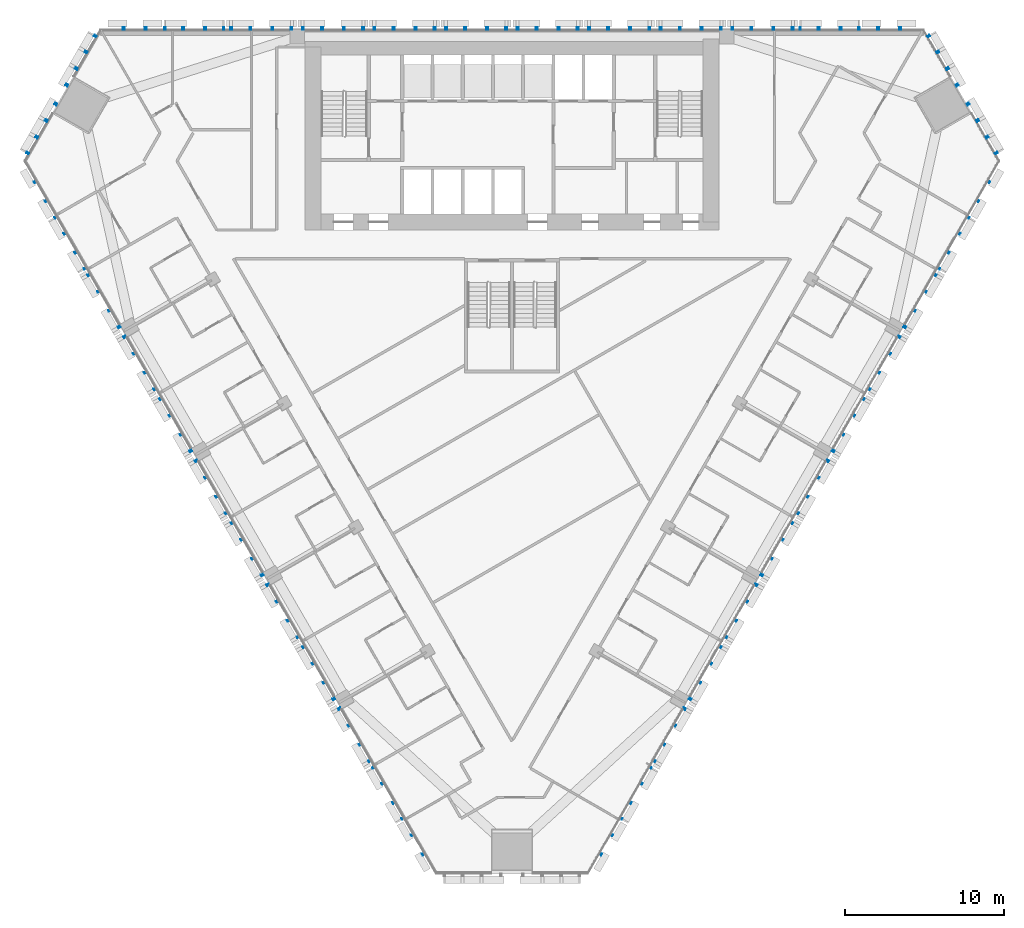
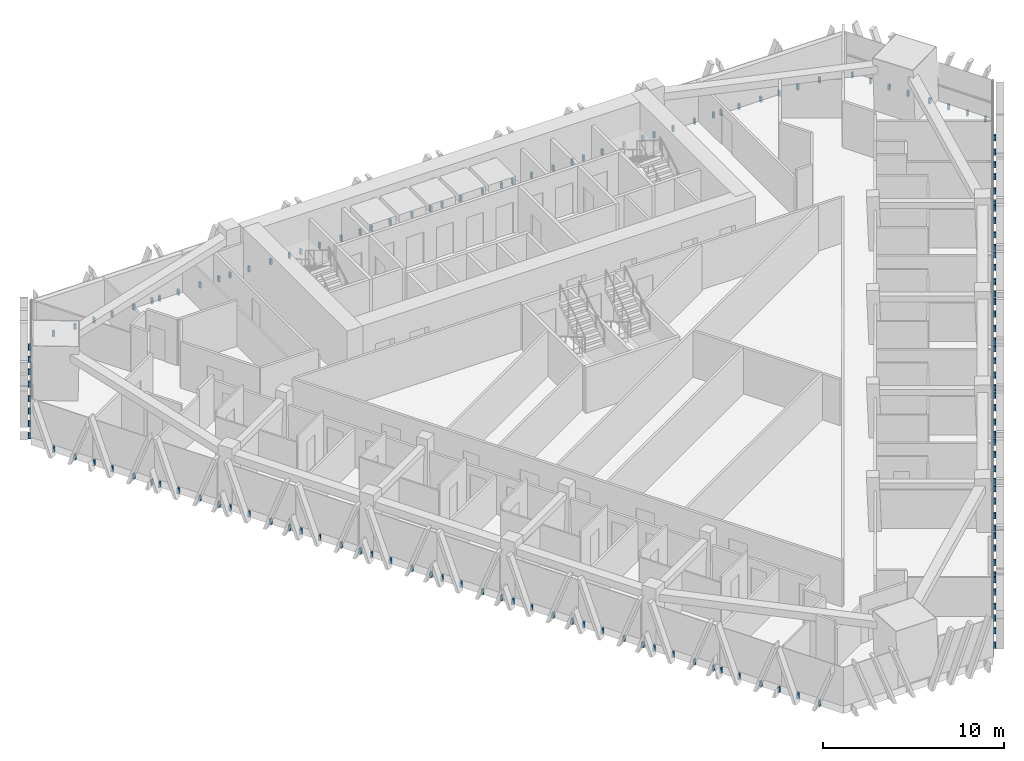
# One storey, part 15 of 18: 5 discrete accessories.
"""IFC4 building model written with IfcOpenShell, lengths in metres."""

from ifc_helpers import new_model, si_unit, direction, frame, origin, place, context, subcontext, project, spatial, polyline, outline, extrude, source, transform, mapped, material, type_object, element, save


model = new_model("IFC4")

# Units and contexts
model_context = context("Model", 3, precision=1e-05, world=origin(), true_north=direction((0.0, 1.0)))
body_context = subcontext(model_context, "Body", "Model", "MODEL_VIEW")
ifc_project = project(units=[si_unit("LENGTHUNIT", "METRE"), si_unit("AREAUNIT", "SQUARE_METRE"), si_unit("VOLUMEUNIT", "CUBIC_METRE"), si_unit("PLANEANGLEUNIT", "RADIAN"), si_unit("MASSUNIT", "GRAM", prefix="KILO")], contexts=[model_context])

# Site, building, storey
site_placement = place(None, origin())
site = spatial("IfcSite", under=ifc_project, at=site_placement, CompositionType="ELEMENT")
building_placement = place(site_placement, origin())
building = spatial("IfcBuilding", under=site, at=building_placement, Name="Altiplano Prism Tower", CompositionType="ELEMENT")
storey_placement = place(building_placement, frame((0.0, 0.0, 48.60009765625)))
storey = spatial("IfcBuildingStorey", under=building, at=storey_placement, Name="L11", CompositionType="ELEMENT", Elevation=48.60009765625)

# Discrete accessories
ifc_material = material(Name="Stainless steel", Category="steel")
discrete_accessory_type = type_object("IfcDiscreteAccessoryType", Name="Stone fin fixing prongs", PredefinedType="USERDEFINED", material=ifc_material)
shared_shape_1 = source(origin(), body_context, "Body", "SweptSolid", [
    extrude(outline(polyline([(-0.7509765625, 0.06005859375), (-0.631103515625, 0.06005859375), (-0.631103515625, 0.43994140625), (-0.7509765625, 0.43994140625), (-0.7509765625, 0.06005859375)])), frame((0.0, 0.0, 0.0), z_axis=(0.0, -1.0, 0.0), x_axis=(1.0, 0.0, 0.0)), (0.0, 0.0, 1.0), 0.14990234375),
    extrude(outline(polyline([(0.631103515625, 0.06005859375), (0.7509765625, 0.06005859375), (0.7509765625, 0.43994140625), (0.631103515625, 0.43994140625), (0.631103515625, 0.06005859375)])), frame((0.0, 0.0, 0.0), z_axis=(0.0, -1.0, 0.0), x_axis=(1.0, 0.0, 0.0)), (0.0, 0.0, 1.0), 0.14990234375),
])
shared_shape_2 = source(origin(), body_context, "Body", "SweptSolid", [
    extrude(outline(polyline([(-0.7509765625, 0.06005859375), (-0.631103515625, 0.06005859375), (-0.631103515625, 0.43994140625), (-0.7509765625, 0.43994140625), (-0.7509765625, 0.06005859375)])), frame((0.0, 0.0, 0.0), z_axis=(0.0, -1.0, 0.0), x_axis=(1.0, 0.0, 0.0)), (0.0, 0.0, 1.0), 0.14990234375),
    extrude(outline(polyline([(-1.889892578125, 0.06005859375), (-1.801025390625, 0.06005859375), (-1.801025390625, 0.43994140625), (-1.889892578125, 0.43994140625), (-1.889892578125, 0.06005859375)])), frame((0.0, 0.0, 0.0), z_axis=(0.0, -1.0, 0.0), x_axis=(1.0, 0.0, 0.0)), (0.0, 0.0, 1.0), 0.14990234375),
    extrude(outline(polyline([(0.631103515625, 0.06005859375), (0.7509765625, 0.06005859375), (0.7509765625, 0.43994140625), (0.631103515625, 0.43994140625), (0.631103515625, 0.06005859375)])), frame((0.0, 0.0, 0.0), z_axis=(0.0, -1.0, 0.0), x_axis=(1.0, 0.0, 0.0)), (0.0, 0.0, 1.0), 0.14990234375),
    extrude(outline(polyline([(1.801025390625, 0.06005859375), (1.889892578125, 0.06005859375), (1.889892578125, 0.43994140625), (1.801025390625, 0.43994140625), (1.801025390625, 0.06005859375)])), frame((0.0, 0.0, 0.0), z_axis=(0.0, -1.0, 0.0), x_axis=(1.0, 0.0, 0.0)), (0.0, 0.0, 1.0), 0.14990234375),
])
shared_shape_3 = source(origin(), body_context, "Body", "SweptSolid", [
    extrude(outline(polyline([(-1.950927734375, 0.06005859375), (-1.8310546875, 0.06005859375), (-1.8310546875, 0.43994140625), (-1.950927734375, 0.43994140625), (-1.950927734375, 0.06005859375)])), frame((0.0, 0.0, 0.0), z_axis=(0.0, -1.0, 0.0), x_axis=(1.0, 0.0, 0.0)), (0.0, 0.0, 1.0), 0.14990234375),
    extrude(outline(polyline([(-0.7509765625, 0.06005859375), (-0.631103515625, 0.06005859375), (-0.631103515625, 0.43994140625), (-0.7509765625, 0.43994140625), (-0.7509765625, 0.06005859375)])), frame((0.0, 0.0, 0.0), z_axis=(0.0, -1.0, 0.0), x_axis=(1.0, 0.0, 0.0)), (0.0, 0.0, 1.0), 0.14990234375),
    extrude(outline(polyline([(0.631103515625, 0.06005859375), (0.7509765625, 0.06005859375), (0.7509765625, 0.43994140625), (0.631103515625, 0.43994140625), (0.631103515625, 0.06005859375)])), frame((0.0, 0.0, 0.0), z_axis=(0.0, -1.0, 0.0), x_axis=(1.0, 0.0, 0.0)), (0.0, 0.0, 1.0), 0.14990234375),
    extrude(outline(polyline([(1.8310546875, 0.06005859375), (1.950927734375, 0.06005859375), (1.950927734375, 0.43994140625), (1.8310546875, 0.43994140625), (1.8310546875, 0.06005859375)])), frame((0.0, 0.0, 0.0), z_axis=(0.0, -1.0, 0.0), x_axis=(1.0, 0.0, 0.0)), (0.0, 0.0, 1.0), 0.14990234375),
])
discrete_accessory_1_placement = place(storey_placement, origin())
element("IfcDiscreteAccessory", 1, at=discrete_accessory_1_placement, inside=storey, type_object=discrete_accessory_type, Name="Fin fixings L11 north face", ObjectType="BRACKET", PredefinedType="USERDEFINED", context=body_context, shape_type="MappedRepresentation", body=[
    mapped(shared_shape_1, transform((108.706298828125, 105.0, -0.5), x_axis=(-1.0, 0.0, 0.0), y_axis=(0.0, -1.0, 0.0), z_axis=(0.0, 0.0, 1.0))),
    mapped(shared_shape_2, transform((104.96875, 105.0, -0.5), x_axis=(-1.0, 0.0, 0.0), y_axis=(0.0, -1.0, 0.0), z_axis=(0.0, 0.0, 1.0))),
    mapped(shared_shape_3, transform((100.75, 105.0, -0.5), x_axis=(-1.0, 0.0, 0.0), y_axis=(0.0, -1.0, 0.0), z_axis=(0.0, 0.0, 1.0))),
    mapped(shared_shape_3, transform((96.25, 105.0, -0.5), x_axis=(-1.0, 0.0, 0.0), y_axis=(0.0, -1.0, 0.0), z_axis=(0.0, 0.0, 1.0))),
    mapped(shared_shape_3, transform((91.75, 105.0, -0.5), x_axis=(-1.0, 0.0, 0.0), y_axis=(0.0, -1.0, 0.0), z_axis=(0.0, 0.0, 1.0))),
    mapped(shared_shape_3, transform((87.25, 105.0, -0.5), x_axis=(-1.0, 0.0, 0.0), y_axis=(0.0, -1.0, 0.0), z_axis=(0.0, 0.0, 1.0))),
    mapped(shared_shape_3, transform((82.75, 105.0, -0.5), x_axis=(-1.0, 0.0, 0.0), y_axis=(0.0, -1.0, 0.0), z_axis=(0.0, 0.0, 1.0))),
    mapped(shared_shape_3, transform((78.25, 105.0, -0.5), x_axis=(-1.0, 0.0, 0.0), y_axis=(0.0, -1.0, 0.0), z_axis=(0.0, 0.0, 1.0))),
    mapped(shared_shape_3, transform((73.75, 105.0, -0.5), x_axis=(-1.0, 0.0, 0.0), y_axis=(0.0, -1.0, 0.0), z_axis=(0.0, 0.0, 1.0))),
    mapped(shared_shape_3, transform((69.25, 105.0, -0.5), x_axis=(-1.0, 0.0, 0.0), y_axis=(0.0, -1.0, 0.0), z_axis=(0.0, 0.0, 1.0))),
    mapped(shared_shape_2, transform((65.03125, 105.0, -0.5), x_axis=(-1.0, 0.0, 0.0), y_axis=(0.0, -1.0, 0.0), z_axis=(0.0, 0.0, 1.0))),
    mapped(shared_shape_1, transform((61.293701171875, 105.0, -0.5), x_axis=(-1.0, 0.0, 0.0), y_axis=(0.0, -1.0, 0.0), z_axis=(0.0, 0.0, 1.0))),
])
discrete_accessory_2_placement = place(storey_placement, origin())
element("IfcDiscreteAccessory", 2, at=discrete_accessory_2_placement, inside=storey, type_object=discrete_accessory_type, Name="Fin fixings L11 south-west face", ObjectType="BRACKET", PredefinedType="USERDEFINED", context=body_context, shape_type="MappedRepresentation", body=[
    mapped(shared_shape_1, transform((55.440185546875, 94.861572265625, -0.5), x_axis=(0.499999989059, -0.866025410101, 0.0), y_axis=(0.866025410101, 0.499999989059, 0.0), z_axis=(0.0, 0.0, 1.0))),
    mapped(shared_shape_2, transform((57.30908203125, 91.624755859375, -0.5), x_axis=(0.499999989059, -0.866025410101, 0.0), y_axis=(0.866025410101, 0.499999989059, 0.0), z_axis=(0.0, 0.0, 1.0))),
    mapped(shared_shape_3, transform((59.41845703125, 87.97119140625, -0.5), x_axis=(0.499999989059, -0.866025410101, 0.0), y_axis=(0.866025410101, 0.499999989059, 0.0), z_axis=(0.0, 0.0, 1.0))),
    mapped(shared_shape_3, transform((61.66845703125, 84.073974609375, -0.5), x_axis=(0.499999989059, -0.866025410101, 0.0), y_axis=(0.866025410101, 0.499999989059, 0.0), z_axis=(0.0, 0.0, 1.0))),
    mapped(shared_shape_3, transform((63.91845703125, 80.177001953125, -0.5), x_axis=(0.499999989059, -0.866025410101, 0.0), y_axis=(0.866025410101, 0.499999989059, 0.0), z_axis=(0.0, 0.0, 1.0))),
    mapped(shared_shape_3, transform((66.16845703125, 76.27978515625, -0.5), x_axis=(0.499999989059, -0.866025410101, 0.0), y_axis=(0.866025410101, 0.499999989059, 0.0), z_axis=(0.0, 0.0, 1.0))),
    mapped(shared_shape_3, transform((68.41845703125, 72.3828125, -0.5), x_axis=(0.499999989059, -0.866025410101, 0.0), y_axis=(0.866025410101, 0.499999989059, 0.0), z_axis=(0.0, 0.0, 1.0))),
    mapped(shared_shape_3, transform((70.66845703125, 68.485595703125, -0.5), x_axis=(0.499999989059, -0.866025410101, 0.0), y_axis=(0.866025410101, 0.499999989059, 0.0), z_axis=(0.0, 0.0, 1.0))),
    mapped(shared_shape_3, transform((72.91845703125, 64.58837890625, -0.5), x_axis=(0.499999989059, -0.866025410101, 0.0), y_axis=(0.866025410101, 0.499999989059, 0.0), z_axis=(0.0, 0.0, 1.0))),
    mapped(shared_shape_3, transform((75.16845703125, 60.69140625, -0.5), x_axis=(0.499999989059, -0.866025410101, 0.0), y_axis=(0.866025410101, 0.499999989059, 0.0), z_axis=(0.0, 0.0, 1.0))),
    mapped(shared_shape_2, transform((77.27783203125, 57.037841796875, -0.5), x_axis=(0.499999989059, -0.866025410101, 0.0), y_axis=(0.866025410101, 0.499999989059, 0.0), z_axis=(0.0, 0.0, 1.0))),
    mapped(shared_shape_1, transform((79.146484375, 53.801025390625, -0.5), x_axis=(0.499999989059, -0.866025410101, 0.0), y_axis=(0.866025410101, 0.499999989059, 0.0), z_axis=(0.0, 0.0, 1.0))),
])
discrete_accessory_3_placement = place(storey_placement, origin())
element("IfcDiscreteAccessory", 3, at=discrete_accessory_3_placement, inside=storey, type_object=discrete_accessory_type, Name="Fin fixings L11 south-east face", ObjectType="BRACKET", PredefinedType="USERDEFINED", context=body_context, shape_type="MappedRepresentation", body=[
    mapped(shared_shape_1, transform((90.853515625, 53.801025390625, -0.5), x_axis=(0.499999989059, 0.866025410101, 0.0), y_axis=(-0.866025410101, 0.499999989059, 0.0), z_axis=(0.0, 0.0, 1.0))),
    mapped(shared_shape_2, transform((92.72216796875, 57.037841796875, -0.5), x_axis=(0.499999989059, 0.866025410101, 0.0), y_axis=(-0.866025410101, 0.499999989059, 0.0), z_axis=(0.0, 0.0, 1.0))),
    mapped(shared_shape_3, transform((94.83154296875, 60.69140625, -0.5), x_axis=(0.499999989059, 0.866025410101, 0.0), y_axis=(-0.866025410101, 0.499999989059, 0.0), z_axis=(0.0, 0.0, 1.0))),
    mapped(shared_shape_3, transform((97.08154296875, 64.58837890625, -0.5), x_axis=(0.499999989059, 0.866025410101, 0.0), y_axis=(-0.866025410101, 0.499999989059, 0.0), z_axis=(0.0, 0.0, 1.0))),
    mapped(shared_shape_3, transform((99.33154296875, 68.485595703125, -0.5), x_axis=(0.499999989059, 0.866025410101, 0.0), y_axis=(-0.866025410101, 0.499999989059, 0.0), z_axis=(0.0, 0.0, 1.0))),
    mapped(shared_shape_3, transform((101.58154296875, 72.3828125, -0.5), x_axis=(0.499999989059, 0.866025410101, 0.0), y_axis=(-0.866025410101, 0.499999989059, 0.0), z_axis=(0.0, 0.0, 1.0))),
    mapped(shared_shape_3, transform((103.83154296875, 76.27978515625, -0.5), x_axis=(0.499999989059, 0.866025410101, 0.0), y_axis=(-0.866025410101, 0.499999989059, 0.0), z_axis=(0.0, 0.0, 1.0))),
    mapped(shared_shape_3, transform((106.08154296875, 80.177001953125, -0.5), x_axis=(0.499999989059, 0.866025410101, 0.0), y_axis=(-0.866025410101, 0.499999989059, 0.0), z_axis=(0.0, 0.0, 1.0))),
    mapped(shared_shape_3, transform((108.33154296875, 84.073974609375, -0.5), x_axis=(0.499999989059, 0.866025410101, 0.0), y_axis=(-0.866025410101, 0.499999989059, 0.0), z_axis=(0.0, 0.0, 1.0))),
    mapped(shared_shape_3, transform((110.58154296875, 87.97119140625, -0.5), x_axis=(0.499999989059, 0.866025410101, 0.0), y_axis=(-0.866025410101, 0.499999989059, 0.0), z_axis=(0.0, 0.0, 1.0))),
    mapped(shared_shape_2, transform((112.69091796875, 91.624755859375, -0.5), x_axis=(0.499999989059, 0.866025410101, 0.0), y_axis=(-0.866025410101, 0.499999989059, 0.0), z_axis=(0.0, 0.0, 1.0))),
    mapped(shared_shape_1, transform((114.559814453125, 94.861572265625, -0.5), x_axis=(0.499999989059, 0.866025410101, 0.0), y_axis=(-0.866025410101, 0.499999989059, 0.0), z_axis=(0.0, 0.0, 1.0))),
])
shared_shape_4 = source(origin(), body_context, "Body", "SweptSolid", [
    extrude(outline(polyline([(-3.15087890625, 0.06005859375), (-3.031005859375, 0.06005859375), (-3.031005859375, 0.43994140625), (-3.15087890625, 0.43994140625), (-3.15087890625, 0.06005859375)])), frame((0.0, 0.0, 0.0), z_axis=(0.0, -1.0, 0.0), x_axis=(1.0, 0.0, 0.0)), (0.0, 0.0, 1.0), 0.14990234375),
    extrude(outline(polyline([(-4.2900390625, 0.06005859375), (-4.200927734375, 0.06005859375), (-4.200927734375, 0.43994140625), (-4.2900390625, 0.43994140625), (-4.2900390625, 0.06005859375)])), frame((0.0, 0.0, 0.0), z_axis=(0.0, -1.0, 0.0), x_axis=(1.0, 0.0, 0.0)), (0.0, 0.0, 1.0), 0.14990234375),
    extrude(outline(polyline([(-1.950927734375, 0.06005859375), (-1.8310546875, 0.06005859375), (-1.8310546875, 0.43994140625), (-1.950927734375, 0.43994140625), (-1.950927734375, 0.06005859375)])), frame((0.0, 0.0, 0.0), z_axis=(0.0, -1.0, 0.0), x_axis=(1.0, 0.0, 0.0)), (0.0, 0.0, 1.0), 0.14990234375),
    extrude(outline(polyline([(-0.7509765625, 0.06005859375), (-0.631103515625, 0.06005859375), (-0.631103515625, 0.43994140625), (-0.7509765625, 0.43994140625), (-0.7509765625, 0.06005859375)])), frame((0.0, 0.0, 0.0), z_axis=(0.0, -1.0, 0.0), x_axis=(1.0, 0.0, 0.0)), (0.0, 0.0, 1.0), 0.14990234375),
    extrude(outline(polyline([(0.631103515625, 0.06005859375), (0.7509765625, 0.06005859375), (0.7509765625, 0.43994140625), (0.631103515625, 0.43994140625), (0.631103515625, 0.06005859375)])), frame((0.0, 0.0, 0.0), z_axis=(0.0, -1.0, 0.0), x_axis=(1.0, 0.0, 0.0)), (0.0, 0.0, 1.0), 0.14990234375),
    extrude(outline(polyline([(1.8310546875, 0.06005859375), (1.950927734375, 0.06005859375), (1.950927734375, 0.43994140625), (1.8310546875, 0.43994140625), (1.8310546875, 0.06005859375)])), frame((0.0, 0.0, 0.0), z_axis=(0.0, -1.0, 0.0), x_axis=(1.0, 0.0, 0.0)), (0.0, 0.0, 1.0), 0.14990234375),
    extrude(outline(polyline([(3.031005859375, 0.06005859375), (3.15087890625, 0.06005859375), (3.15087890625, 0.43994140625), (3.031005859375, 0.43994140625), (3.031005859375, 0.06005859375)])), frame((0.0, 0.0, 0.0), z_axis=(0.0, -1.0, 0.0), x_axis=(1.0, 0.0, 0.0)), (0.0, 0.0, 1.0), 0.14990234375),
    extrude(outline(polyline([(4.200927734375, 0.06005859375), (4.2900390625, 0.06005859375), (4.2900390625, 0.43994140625), (4.200927734375, 0.43994140625), (4.200927734375, 0.06005859375)])), frame((0.0, 0.0, 0.0), z_axis=(0.0, -1.0, 0.0), x_axis=(1.0, 0.0, 0.0)), (0.0, 0.0, 1.0), 0.14990234375),
])
discrete_accessory_4_placement = place(storey_placement, origin())
element("IfcDiscreteAccessory", 4, at=discrete_accessory_4_placement, inside=storey, type_object=discrete_accessory_type, Name="Fin fixings L11 north-west chamfer", ObjectType="BRACKET", PredefinedType="USERDEFINED", context=body_context, shape_type="MappedRepresentation", body=[
    mapped(shared_shape_4, transform((56.740478515625, 100.869873046875, -0.5), x_axis=(-0.499999930086, -0.866025444149, 0.0), y_axis=(0.866025444149, -0.499999930086, 0.0), z_axis=(0.0, 0.0, 1.0))),
])
discrete_accessory_5_placement = place(storey_placement, origin())
element("IfcDiscreteAccessory", 5, at=discrete_accessory_5_placement, inside=storey, type_object=discrete_accessory_type, Name="Fin fixings L11 north-east chamfer", ObjectType="BRACKET", PredefinedType="USERDEFINED", context=body_context, shape_type="MappedRepresentation", body=[
    mapped(shared_shape_4, transform((113.259521484375, 100.869873046875, -0.5), x_axis=(-0.499999930086, 0.866025444149, 0.0), y_axis=(-0.866025444149, -0.499999930086, 0.0), z_axis=(0.0, 0.0, 1.0))),
])

save(model, "model.ifc")
